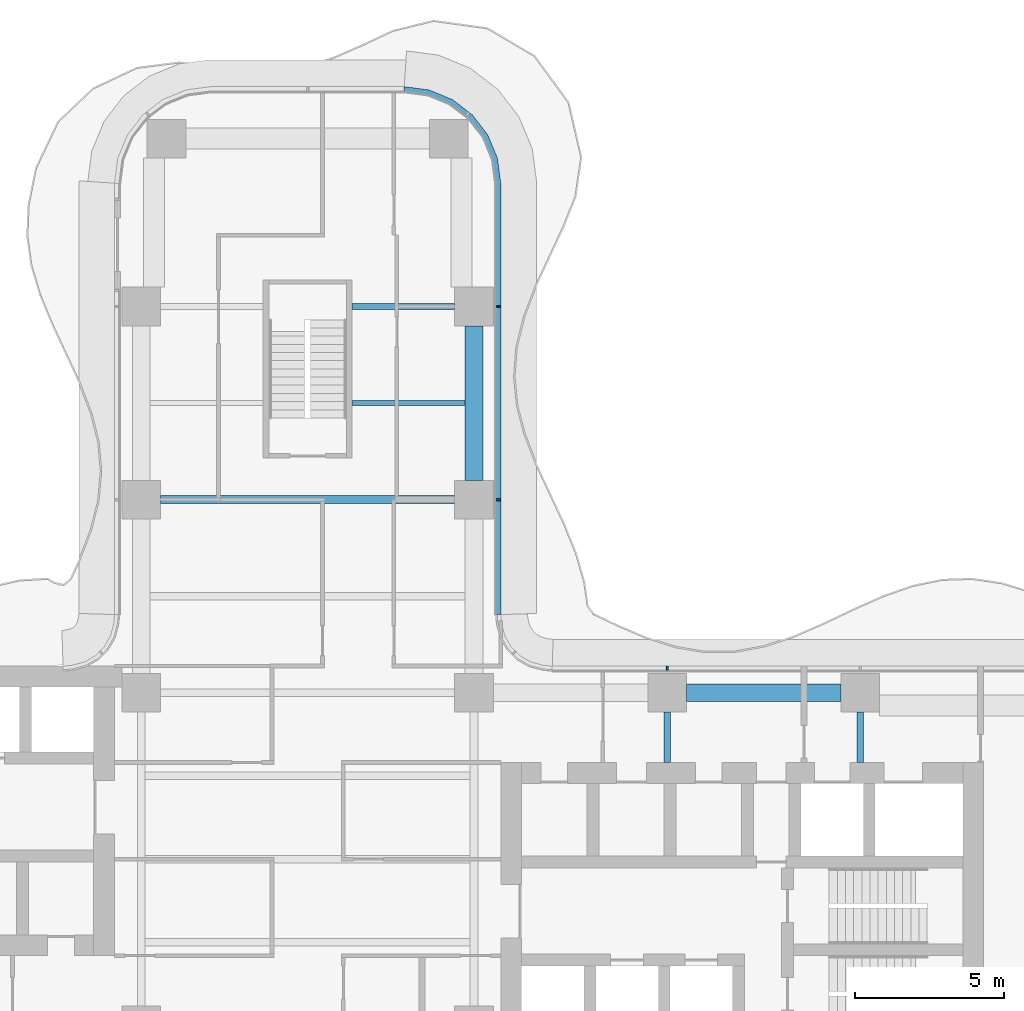
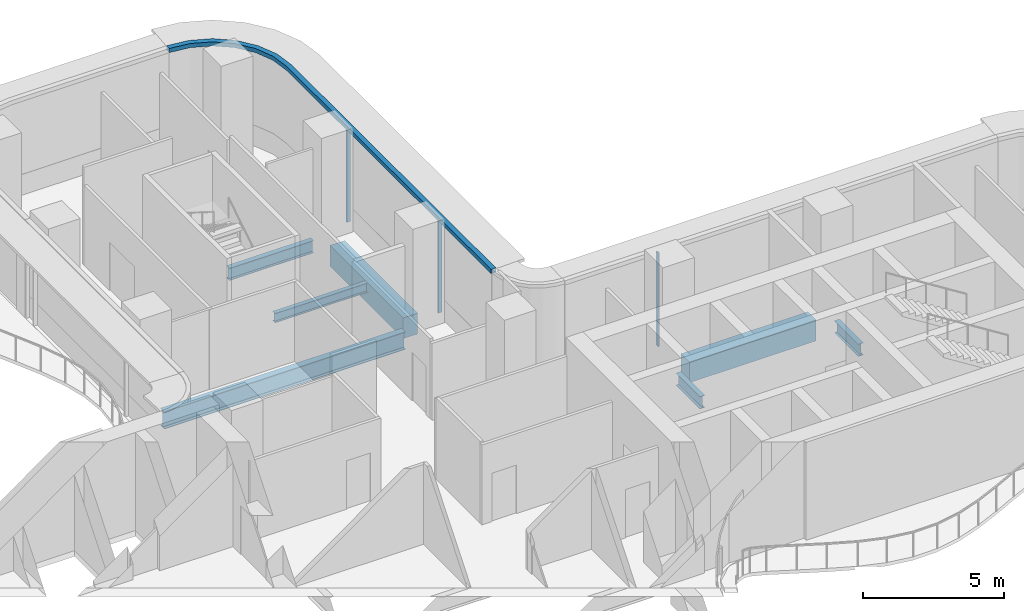
# One storey, part 10 of 22: 7 beams, 4 members, 2 elements without a shape of their own.
"""IFC4 building model written with IfcOpenShell, lengths in metres."""

import ifcopenshell
import ifcopenshell.guid

model = None  # the IFC model being written
_history = None  # IfcOwnerHistory: only IFC2X3 demands one
_inside = {}  # id of a spatial element -> (the spatial element, [elements in it])
_under = {}  # id of a project, library or spatial element -> (it, [spatial elements below it])
_declared = {}  # id of a project -> (the project, [libraries it declares])
_typed = {}  # id of a type object -> (the type object, [elements of that type])
_made_of = {}  # id of a material, layer set ... -> (it, [elements and type objects made of it])


def new_model(schema):
    """Start an empty IFC model of exactly this schema.

    Asked for "IFC4X3", IfcOpenShell would pick the latest addendum, in which some entities
    have other attributes; the version numbers below select the first issue.
    IFC2X3 requires an IfcOwnerHistory on every rooted entity: one is made here for all.
    """
    global model, _history
    if schema == "IFC4X3":
        model = ifcopenshell.file(schema_version=(4, 3, 0, 0))
    else:
        model = ifcopenshell.file(schema=schema)
    _inside.clear()
    _under.clear()
    _declared.clear()
    _typed.clear()
    _made_of.clear()
    _history = None
    if model.schema == "IFC2X3":
        org = make("IfcOrganization", Name="unknown")
        user = make(
            "IfcPersonAndOrganization",
            ThePerson=make("IfcPerson", FamilyName="unknown"),
            TheOrganization=org,
        )
        app = make(
            "IfcApplication",
            ApplicationDeveloper=org,
            Version="unknown",
            ApplicationFullName="unknown",
            ApplicationIdentifier="unknown",
        )
        _history = make(
            "IfcOwnerHistory",
            OwningUser=user,
            OwningApplication=app,
            ChangeAction="ADDED",
            CreationDate=0,
        )
    return model


def make(cls, **values):
    """One entity of the class cls with the attributes given. An attribute that is None is left unset."""
    return model.create_entity(
        cls, **{name: value for name, value in values.items() if value is not None}
    )


def rooted(cls, **values):
    """An entity with a GlobalId (a new one), such as an element, a storey or a relation."""
    return make(cls, GlobalId=ifcopenshell.guid.new(), OwnerHistory=_history, **values)


def si_unit(unit_type, name, prefix=None):
    """IfcSIUnit, for example si_unit("LENGTHUNIT", "METRE", prefix="MILLI")."""
    return make("IfcSIUnit", UnitType=unit_type, Prefix=prefix, Name=name)


def assignment(units):
    """IfcUnitAssignment: the units of a project."""
    return None if units is None else make("IfcUnitAssignment", Units=units)


def point(xyz):
    """IfcCartesianPoint."""
    return None if xyz is None else make("IfcCartesianPoint", Coordinates=xyz)


def direction(xyz):
    """IfcDirection."""
    return None if xyz is None else make("IfcDirection", DirectionRatios=xyz)


def frame(location, z_axis=None, x_axis=None):
    """IfcAxis2Placement3D, a coordinate frame: its origin and axes. An axis left out is left unset."""
    return make(
        "IfcAxis2Placement3D",
        Location=point(location),
        Axis=direction(z_axis),
        RefDirection=direction(x_axis),
    )


def frame_2d(location, x_axis=None):
    """IfcAxis2Placement2D, a coordinate frame in the plane: its origin and x axis."""
    return make(
        "IfcAxis2Placement2D", Location=point(location), RefDirection=direction(x_axis)
    )


def origin():
    """The frame at (0, 0, 0) with its axes left unset."""
    return frame((0.0, 0.0, 0.0))


def origin_2d():
    """The frame at (0, 0) in the plane with its x axis left unset."""
    return frame_2d((0.0, 0.0))


def place(relative_to, where):
    """IfcLocalPlacement: puts the frame where relative to a parent placement (None: the world)."""
    return make(
        "IfcLocalPlacement", PlacementRelTo=relative_to, RelativePlacement=where
    )


def context(
    kind, dimensions, precision=None, world=None, true_north=None, identifier=None
):
    """IfcGeometricRepresentationContext, for example the 3D "Model" context."""
    return make(
        "IfcGeometricRepresentationContext",
        ContextIdentifier=identifier,
        ContextType=kind,
        CoordinateSpaceDimension=dimensions,
        Precision=precision,
        WorldCoordinateSystem=world,
        TrueNorth=true_north,
    )


def subcontext(parent, identifier, kind, view, scale=None):
    """IfcGeometricRepresentationSubContext, for example "Body" below "Model"."""
    return make(
        "IfcGeometricRepresentationSubContext",
        ContextIdentifier=identifier,
        ContextType=kind,
        ParentContext=parent,
        TargetScale=scale,
        TargetView=view,
    )


def project(units=None, contexts=None):
    """IfcProject with its units and contexts."""
    return rooted(
        "IfcProject",
        Name="project",
        RepresentationContexts=contexts,
        UnitsInContext=assignment(units),
    )


def spatial(cls, under=None, at=None, **own):
    """A site, building, storey or space (cls), placed at a placement, below another one or the project."""
    s = rooted(cls, ObjectPlacement=at, **own)
    if under is not None:
        _under.setdefault(under.id(), (under, []))[1].append(s)
    return s


def polyline(points):
    """IfcPolyline through the points."""
    return make("IfcPolyline", Points=[point(p) for p in points])


def profile(cls, at=None, kind="AREA", **sizes):
    """A parametric profile (cls). Its sizes go by their IFC names, for example OverallWidth=200.0."""
    return make(cls, ProfileType=kind, Position=at, **sizes)


def rectangle(**sizes):
    """IfcRectangleProfileDef."""
    return profile("IfcRectangleProfileDef", **sizes)


def i_section(**sizes):
    """IfcIShapeProfileDef."""
    return profile("IfcIShapeProfileDef", **sizes)


def outline(outer, holes=None, kind="AREA"):
    """IfcArbitraryClosedProfileDef: a profile drawn as a closed curve; with holes, ...WithVoids."""
    if holes is None:
        return make("IfcArbitraryClosedProfileDef", ProfileType=kind, OuterCurve=outer)
    return make(
        "IfcArbitraryProfileDefWithVoids",
        ProfileType=kind,
        OuterCurve=outer,
        InnerCurves=holes,
    )


def extrude(swept, where, along, depth):
    """IfcExtrudedAreaSolid: the profile swept, set in the frame where, extruded along a direction by depth."""
    return make(
        "IfcExtrudedAreaSolid",
        SweptArea=swept,
        Position=where,
        ExtrudedDirection=direction(along),
        Depth=depth,
    )


def shape(context_of_items, identifier, shape_type, items):
    """IfcShapeRepresentation: the items that make up one representation, for example the "Body"."""
    return make(
        "IfcShapeRepresentation",
        ContextOfItems=context_of_items,
        RepresentationIdentifier=identifier,
        RepresentationType=shape_type,
        Items=items,
    )


def source(mapping_origin, context_of_items, identifier, shape_type, items):
    """IfcRepresentationMap: a shape defined once, which mapped items show again and again."""
    return make(
        "IfcRepresentationMap",
        MappingOrigin=mapping_origin,
        MappedRepresentation=shape(context_of_items, identifier, shape_type, items),
    )


def transform(
    local_origin,
    x_axis=None,
    y_axis=None,
    z_axis=None,
    scale=None,
    scale2=None,
    scale3=None,
    uniform=True,
):
    """IfcCartesianTransformationOperator3D, or its non-uniform kind. x_axis, y_axis, z_axis: its Axis1, 2, 3."""
    if uniform:
        return make(
            "IfcCartesianTransformationOperator3D",
            Axis1=direction(x_axis),
            Axis2=direction(y_axis),
            LocalOrigin=point(local_origin),
            Scale=scale,
            Axis3=direction(z_axis),
        )
    return make(
        "IfcCartesianTransformationOperator3DnonUniform",
        Axis1=direction(x_axis),
        Axis2=direction(y_axis),
        LocalOrigin=point(local_origin),
        Scale=scale,
        Axis3=direction(z_axis),
        Scale2=scale2,
        Scale3=scale3,
    )


def mapped(mapping_source, mapping_target):
    """IfcMappedItem: shows the shape of a source again, moved by a transform."""
    return make(
        "IfcMappedItem", MappingSource=mapping_source, MappingTarget=mapping_target
    )


def material(Name=None, Category=None):
    """IfcMaterial."""
    return make("IfcMaterial", Name=Name, Category=Category)


def layer(
    of_material, thickness, ventilated=None, Name=None, Category=None, Priority=None
):
    """IfcMaterialLayer: one layer of a wall or slab, of a material (None: an air gap)."""
    return make(
        "IfcMaterialLayer",
        Material=of_material,
        LayerThickness=thickness,
        IsVentilated=ventilated,
        Name=Name,
        Category=Category,
        Priority=Priority,
    )


def layer_set(layers, Name=None):
    """IfcMaterialLayerSet."""
    return make("IfcMaterialLayerSet", MaterialLayers=layers, LayerSetName=Name)


def material_profile(
    of_material, cross_section, Name=None, Category=None, Priority=None
):
    """IfcMaterialProfile: a cross section and its material."""
    return make(
        "IfcMaterialProfile",
        Name=Name,
        Material=of_material,
        Profile=cross_section,
        Priority=Priority,
        Category=Category,
    )


def profile_set(profiles, Name=None, composite=None):
    """IfcMaterialProfileSet."""
    return make(
        "IfcMaterialProfileSet",
        Name=Name,
        MaterialProfiles=profiles,
        CompositeProfile=composite,
    )


def made_of(thing, what):
    """Note that an element or type object is made of a material, layer set ...; save() writes the relation."""
    if what is not None:
        _made_of.setdefault(what.id(), (what, []))[1].append(thing)
    return thing


def type_object(cls, material=None, **own):
    """A type object (cls), such as IfcWallType, which elements share."""
    return made_of(rooted(cls, **own), material)


def element(
    cls,
    number,
    at=None,
    inside=None,
    cuts=None,
    type_object=None,
    material=None,
    context=None,
    identifier="Body",
    shape_type=None,
    held_by="IfcProductDefinitionShape",
    body=None,
    shapes=None,
    **own,
):
    """One element of the class cls, such as IfcWall. Its Tag is "e" and its number.

    at: its placement. inside: the storey or other place that contains it. cuts: it is an
    opening in that element (IfcRelVoidsElement). A single representation is given by context,
    identifier, shape_type and body (its items); several are given by shapes. held_by: the class
    of the entity that holds the representations. save() writes the other relations.
    """
    e = rooted(cls, Tag="e%d" % number, ObjectPlacement=at, **own)
    if body is not None:
        shapes = [shape(context, identifier, shape_type, body)]
    if shapes is not None:
        e.Representation = make(held_by, Representations=shapes)
    if inside is not None:
        _inside.setdefault(inside.id(), (inside, []))[1].append(e)
    if cuts is not None:
        rooted(
            "IfcRelVoidsElement", RelatingBuildingElement=cuts, RelatedOpeningElement=e
        )
    if type_object is not None:
        _typed.setdefault(type_object.id(), (type_object, []))[1].append(e)
    return made_of(e, material)


def aggregate(whole, parts):
    """IfcRelAggregates: a whole, such as a stair, and the parts it consists of."""
    return rooted("IfcRelAggregates", RelatingObject=whole, RelatedObjects=parts)


def save(model, path):
    """Write the relations noted so far, then the file.

    IfcRelAggregates (storeys below a building ...), IfcRelContainedInSpatialStructure (elements
    in a storey), IfcRelDefinesByType, IfcRelAssociatesMaterial and IfcRelDeclares: one each for
    every whole, place, type object, material and project.
    """
    for whole, parts in _under.values():
        aggregate(whole, parts)
    for where, things in _inside.values():
        rooted(
            "IfcRelContainedInSpatialStructure",
            RelatedElements=things,
            RelatingStructure=where,
        )
    for kind, things in _typed.values():
        rooted("IfcRelDefinesByType", RelatedObjects=things, RelatingType=kind)
    for what, things in _made_of.values():
        rooted("IfcRelAssociatesMaterial", RelatedObjects=things, RelatingMaterial=what)
    for by, libraries in _declared.values():
        rooted("IfcRelDeclares", RelatingContext=by, RelatedDefinitions=libraries)
    model.write(path)


model = new_model("IFC4")

# Units and contexts
model_context = context("Model", 3, precision=1e-05, world=origin(), true_north=direction((0.0, 1.0)))
body_context = subcontext(model_context, "Body", "Model", "MODEL_VIEW")
ifc_project = project(units=[si_unit("LENGTHUNIT", "METRE"), si_unit("AREAUNIT", "SQUARE_METRE"), si_unit("VOLUMEUNIT", "CUBIC_METRE"), si_unit("PLANEANGLEUNIT", "RADIAN"), si_unit("MASSUNIT", "GRAM", prefix="KILO")], contexts=[model_context])

# Site, building, storey
site_placement = place(None, origin())
site = spatial("IfcSite", under=ifc_project, at=site_placement, CompositionType="ELEMENT")
building_placement = place(site_placement, origin())
building = spatial("IfcBuilding", under=site, at=building_placement, Name="Trellis Farm Tower", CompositionType="ELEMENT")
storey_placement = place(building_placement, frame((0.0, 0.0, 124.5)))
storey = spatial("IfcBuildingStorey", under=building, at=storey_placement, Name="L26", CompositionType="ELEMENT", Elevation=124.5)

# Beams
ifc_material_1 = material(Name="Steel S355", Category="steel")
ifc_material_profile_1 = material_profile(ifc_material_1, i_section(OverallWidth=0.177978515625, OverallDepth=0.406494140625, WebThickness=0.0078125, FlangeThickness=0.0126953125, FilletRadius=0.01025390625, at=origin_2d()), Name="UB 406x178x60")
ifc_profile_set_1 = profile_set([ifc_material_profile_1], Name="Steel S355")
beam_type_1 = type_object("IfcBeamType", Name="UB 406x178x60 joist", PredefinedType="JOIST", material=ifc_profile_set_1)
shared_shape_1 = source(origin(), body_context, "Body", "SweptSolid", [
    extrude(i_section(OverallWidth=0.177978515625, OverallDepth=0.406494140625, WebThickness=0.0078125, FlangeThickness=0.0126953125, FilletRadius=0.01025390625, at=origin_2d()), origin(), (0.0, 0.0, 1.0), 3.800048828125),
])
beam_1_placement = place(storey_placement, frame((1.5, 15.35009765625, -0.453125), z_axis=(1.0, 0.0, 0.0), x_axis=(0.0, 1.0, 0.0)))
element("IfcBeam", 1, at=beam_1_placement, inside=storey, type_object=beam_type_1, Name="Floor beam", PredefinedType="JOIST", context=body_context, shape_type="MappedRepresentation", body=[
    mapped(shared_shape_1, transform((0.0, 0.0, 0.0))),
])
ifc_material_profile_2 = material_profile(ifc_material_1, i_section(OverallWidth=0.209228515625, OverallDepth=0.533203125, WebThickness=0.010009765625, FlangeThickness=0.015625, FilletRadius=0.0126953125, at=origin_2d()), Name="UB 533x210x92")
ifc_profile_set_2 = profile_set([ifc_material_profile_2], Name="Steel S355")
beam_type_2 = type_object("IfcBeamType", Name="UB 533x210x92", PredefinedType="BEAM", material=ifc_profile_set_2)
shared_shape_2 = source(origin(), body_context, "Body", "SweptSolid", [
    extrude(i_section(OverallWidth=0.209228515625, OverallDepth=0.533203125, WebThickness=0.010009765625, FlangeThickness=0.015625, FilletRadius=0.0126953125, at=origin_2d()), origin(), (0.0, 0.0, 1.0), 3.449951171875),
])
beam_2_placement = place(storey_placement, frame((1.5, 18.60009765625, -0.5166015625), z_axis=(1.0, 0.0, 0.0), x_axis=(0.0, 1.0, 0.0)))
element("IfcBeam", 2, at=beam_2_placement, inside=storey, type_object=beam_type_2, Name="Girder", PredefinedType="BEAM", context=body_context, shape_type="MappedRepresentation", body=[
    mapped(shared_shape_2, transform((0.0, 0.0, 0.0))),
])
ifc_material_profile_3 = material_profile(ifc_material_1, i_section(OverallWidth=0.2666015625, OverallDepth=0.76220703125, WebThickness=0.014404296875, FlangeThickness=0.021484375, FilletRadius=0.0166015625, at=origin_2d()), Name="UB 762x267x173")
ifc_profile_set_3 = profile_set([ifc_material_profile_3], Name="Steel S355")
beam_type_3 = type_object("IfcBeamType", Name="UB 762x267x173", PredefinedType="BEAM", material=ifc_profile_set_3)
shared_shape_3 = source(origin(), body_context, "Body", "SweptSolid", [
    extrude(i_section(OverallWidth=0.2666015625, OverallDepth=0.76220703125, WebThickness=0.014404296875, FlangeThickness=0.021484375, FilletRadius=0.0166015625, at=origin_2d()), origin(), (0.0, 0.0, 1.0), 9.89990234375),
])
beam_3_placement = place(storey_placement, frame((-4.949951171875, 12.10009765625, -0.631103515625), z_axis=(1.0, 0.0, 0.0), x_axis=(0.0, 1.0, 0.0)))
element("IfcBeam", 3, at=beam_3_placement, inside=storey, type_object=beam_type_3, Name="Girder", PredefinedType="BEAM", context=body_context, shape_type="MappedRepresentation", body=[
    mapped(shared_shape_3, transform((0.0, 0.0, 0.0))),
])
shared_shape_4 = source(origin(), body_context, "Body", "SweptSolid", [
    extrude(i_section(OverallWidth=0.209228515625, OverallDepth=0.533203125, WebThickness=0.010009765625, FlangeThickness=0.015625, FilletRadius=0.0126953125, at=origin_2d()), origin(), (0.0, 0.0, 1.0), 1.699951171875),
])
for number, where, z_axis, x_axis, name in (
    (4, (12.10009765625, 3.25, -0.5166015625), (0.0, 1.0, 0.0), (-1.0, 0.0, 0.0), "Girder"),
    (5, (18.60009765625, 3.25, -0.5166015625), (0.0, 1.0, 0.0), (-1.0, 0.0, 0.0), "Girder"),
):
    element("IfcBeam", number, at=place(storey_placement, frame(where, z_axis=z_axis, x_axis=x_axis)), inside=storey, type_object=beam_type_2, Name=name, PredefinedType="BEAM", context=body_context, shape_type="MappedRepresentation", body=[
        mapped(shared_shape_4, transform((0.0, 0.0, 0.0))),
    ])
ifc_material_2 = material(Name="Concrete C60/75", Category="concrete")
ifc_material_profile_4 = material_profile(ifc_material_2, rectangle(XDim=0.60009765625, YDim=0.89990234375, at=origin_2d()), Name="RC spandrel beam 600x900 C60/75")
ifc_profile_set_4 = profile_set([ifc_material_profile_4], Name="Concrete C60/75")
beam_type_4 = type_object("IfcBeamType", Name="RC spandrel beam 600x900 C60/75", PredefinedType="SPANDREL", material=ifc_profile_set_4)
shared_shape_5 = source(origin(), body_context, "Body", "SweptSolid", [
    extrude(rectangle(XDim=0.60009765625, YDim=0.89990234375, at=origin_2d()), origin(), (0.0, 0.0, 1.0), 5.199951171875),
])
for number, where, z_axis, x_axis, name in (
    (6, (12.75, 5.60009765625, -0.699951171875), (1.0, 0.0, 0.0), (0.0, 1.0, 0.0), "Girder"),
    (7, (5.60009765625, 12.75, -0.699951171875), (0.0, 1.0, 0.0), (-1.0, 0.0, 0.0), "Girder"),
):
    element("IfcBeam", number, at=place(storey_placement, frame(where, z_axis=z_axis, x_axis=x_axis)), inside=storey, type_object=beam_type_4, Name=name, PredefinedType="SPANDREL", context=body_context, shape_type="MappedRepresentation", body=[
        mapped(shared_shape_5, transform((0.0, 0.0, 0.0))),
    ])

# Curtain wall, member
ifc_material_3 = material(Name="Aluminium and glass curtain wall", Category="aluminium")
ifc_layer_1 = layer(ifc_material_3, 0.18994140625)
ifc_layer_set_1 = layer_set([ifc_layer_1], Name="RIBBON CURTAIN WALL CW1")
curtain_wall_type = type_object("IfcCurtainWallType", Name="RIBBON CURTAIN WALL CW1", PredefinedType="NOTDEFINED", material=ifc_layer_set_1)
placement = place(storey_placement, origin())
curtain_wall_1 = element("IfcCurtainWall", 8, at=placement, inside=storey, type_object=curtain_wall_type, Name="CW1 008", PredefinedType="NOTDEFINED")
ifc_material_4 = material(Name="Aluminium extrusion 6063-T6", Category="aluminium")
ifc_material_profile_5 = material_profile(ifc_material_4, rectangle(XDim=0.06005859375, YDim=0.14990234375, at=origin_2d()), Name="MULLION 60x150")
ifc_profile_set_5 = profile_set([ifc_material_profile_5], Name="Aluminium extrusion 6063-T6")
member_type_1 = type_object("IfcMemberType", Name="CW1 MULLION 60x150", PredefinedType="MULLION", material=ifc_profile_set_5)
shared_shape_6 = source(origin(), body_context, "Body", "SweptSolid", [
    extrude(rectangle(XDim=0.06005859375, YDim=0.14990234375, at=origin_2d()), origin(), (0.0, 0.0, 1.0), 4.070068359375),
])
member_1_placement = place(storey_placement, frame((12.10009765625, 6.425048828125, 0.0), z_axis=(0.0, 0.0, 1.0), x_axis=(-1.0, 0.0, 0.0)))
member_1 = element("IfcMember", 9, at=member_1_placement, type_object=member_type_1, Name="MU1 008-02", PredefinedType="MULLION", context=body_context, shape_type="MappedRepresentation", body=[
    mapped(shared_shape_6, transform((0.0, 0.0, 0.0))),
])
aggregate(curtain_wall_1, [member_1])

# Curtain wall, members
curtain_wall_2 = element("IfcCurtainWall", 10, at=placement, inside=storey, type_object=curtain_wall_type, Name="CW1 009", PredefinedType="NOTDEFINED")
member_2_placement = place(storey_placement, frame((6.425048828125, 12.10009765625, 0.0), z_axis=(0.0, 0.0, 1.0), x_axis=(0.0, 1.0, 0.0)))
member_2 = element("IfcMember", 11, at=member_2_placement, type_object=member_type_1, Name="MU1 009-01", PredefinedType="MULLION", context=body_context, shape_type="MappedRepresentation", body=[
    mapped(shared_shape_6, transform((0.0, 0.0, 0.0))),
])
member_3_placement = place(storey_placement, frame((6.425048828125, 18.60009765625, 0.0), z_axis=(0.0, 0.0, 1.0), x_axis=(0.0, 1.0, 0.0)))
member_3 = element("IfcMember", 12, at=member_3_placement, type_object=member_type_1, Name="MU1 009-02", PredefinedType="MULLION", context=body_context, shape_type="MappedRepresentation", body=[
    mapped(shared_shape_6, transform((0.0, 0.0, 0.0))),
])
ifc_layer_2 = layer(ifc_material_4, 0.199951171875)
ifc_layer_set_2 = layer_set([ifc_layer_2], Name="Aluminium extrusion 6063-T6")
member_type_2 = type_object("IfcMemberType", Name="CW1 TRANSOM 200x180", PredefinedType="USERDEFINED", material=ifc_layer_set_2)
shared_shape_7 = source(origin(), body_context, "Body", "SweptSolid", [
    extrude(outline(polyline([(6.5, 8.2314453125), (6.5, 22.75), (6.38916015625, 23.591064453125), (6.064697265625, 24.375), (5.548095703125, 25.048095703125), (4.875, 25.564697265625), (4.091064453125, 25.88916015625), (3.25, 26.0), (3.23681640625, 25.800048828125), (4.0390625, 25.6943359375), (4.774169921875, 25.389892578125), (5.405517578125, 24.905517578125), (5.889892578125, 24.274169921875), (6.1943359375, 23.5390625), (6.300048828125, 22.73681640625), (6.300048828125, 8.224853515625), (6.5, 8.2314453125)])), origin(), (0.0, 0.0, 1.0), 0.179931640625),
])
member_4_placement = place(storey_placement, frame((0.0, 0.0, 4.070068359375)))
member_4 = element("IfcMember", 13, at=member_4_placement, type_object=member_type_2, Name="TR1 009", ObjectType="TRANSOM", PredefinedType="USERDEFINED", context=body_context, shape_type="MappedRepresentation", body=[
    mapped(shared_shape_7, transform((0.0, 0.0, 0.0))),
])
aggregate(curtain_wall_2, [member_2, member_3, member_4])

save(model, "model.ifc")
